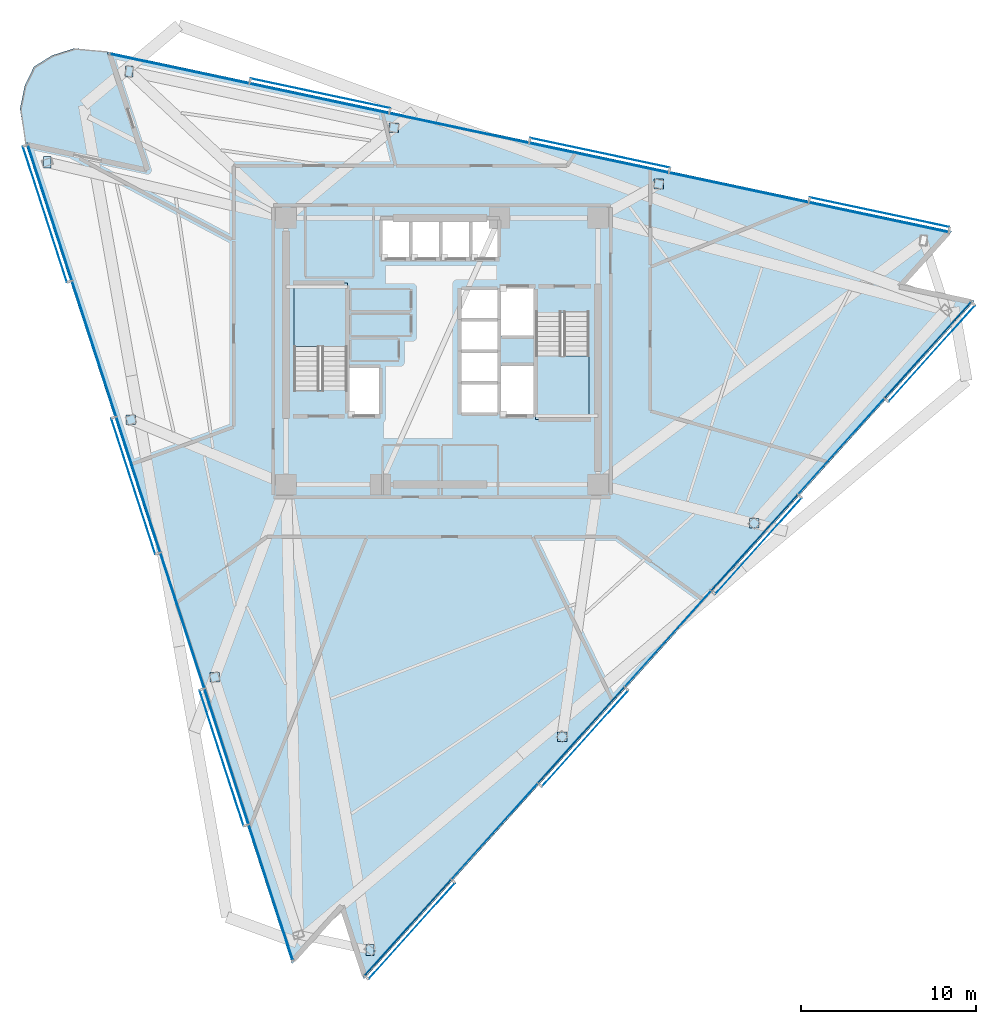
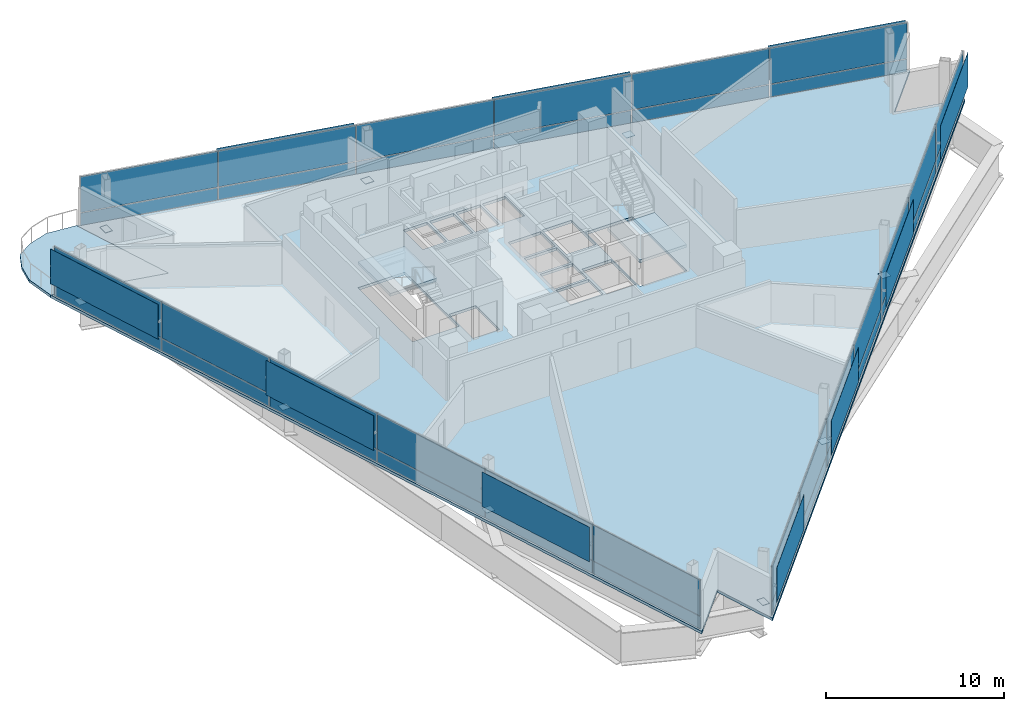
# One storey, part 9 of 17: 57 plates, 4 slabs, 5 elements without a shape of their own.
"""IFC4 building model written with IfcOpenShell, lengths in metres."""

from ifc_helpers import new_model, si_unit, direction, frame, origin, origin_2d, place, context, subcontext, project, spatial, polyline, rectangle, outline, extrude, material, layer, layer_set, type_object, element, aggregate, save


model = new_model("IFC4")

# Units and contexts
model_context = context("Model", 3, precision=1e-05, world=origin(), true_north=direction((0.0, 1.0)))
body_context = subcontext(model_context, "Body", "Model", "MODEL_VIEW")
ifc_project = project(units=[si_unit("LENGTHUNIT", "METRE"), si_unit("AREAUNIT", "SQUARE_METRE"), si_unit("VOLUMEUNIT", "CUBIC_METRE"), si_unit("PLANEANGLEUNIT", "RADIAN"), si_unit("MASSUNIT", "GRAM", prefix="KILO")], contexts=[model_context])

# Site, building, storey
site_placement = place(None, origin())
site = spatial("IfcSite", under=ifc_project, at=site_placement, CompositionType="ELEMENT")
building_placement = place(site_placement, origin())
building = spatial("IfcBuilding", under=site, at=building_placement, Name="Tharavind Bronze Gate", CompositionType="ELEMENT")
storey_placement = place(building_placement, frame((0.0, 0.0, 196.85009765625)))
storey = spatial("IfcBuildingStorey", under=building, at=storey_placement, Name="L50", CompositionType="ELEMENT", Elevation=196.85009765625)

# Plates
ifc_material_1 = material(Name="Perforated Bronze Alloy", Category="bronze")
ifc_layer_1 = layer(ifc_material_1, 0.011962890625)
ifc_layer_set_1 = layer_set([ifc_layer_1], Name="Perforated Bronze Alloy")
plate_type_1 = type_object("IfcPlateType", Name="BRONZE PERFORATED SOLAR SCREEN", PredefinedType="USERDEFINED", material=ifc_layer_set_1)
for number, where, z_axis, x_axis, name in (
    (1, (-22.650634765625, 7.81103515625, 0.96630859375), (0.0, 0.0, 1.0), (0.309016994375, -0.951056516295, 0.0), "CW-L50-S1 perforated bronze solar screen 1"),
    (2, (-17.610107421875, -7.701904296875, 0.96630859375), (0.0, 0.0, 1.0), (0.309016994375, -0.951056516295, 0.0), "CW-L50-S1 perforated bronze solar screen 3"),
    (3, (-12.569580078125, -23.215087890625, 0.96630859375), (0.0, 0.0, 1.0), (0.309016994375, -0.951056516295, 0.0), "CW-L50-S1 perforated bronze solar screen 5"),
):
    element("IfcPlate", number, at=place(storey_placement, frame(where, z_axis=z_axis, x_axis=x_axis)), inside=storey, type_object=plate_type_1, Name=name, ObjectType="SCREEN", PredefinedType="USERDEFINED", context=body_context, shape_type="SweptSolid", body=[
        extrude(rectangle(XDim=8.1357421875, YDim=0.011962890625, at=origin_2d()), origin(), (0.0, 0.0, 1.0), 2.386962890625),
    ])
for number, where, z_axis, x_axis, name in (
    (4, (-1.720703125, -33.081298828125, 0.96630859375), (0.0, 0.0, 1.0), (0.669130606359, 0.743144825477, 0.0), "CW-L50-S2 perforated bronze solar screen 1"),
    (5, (8.168212890625, -22.098388671875, 0.96630859375), (0.0, 0.0, 1.0), (0.669130606359, 0.743144825477, 0.0), "CW-L50-S2 perforated bronze solar screen 3"),
    (6, (18.057373046875, -11.115478515625, 0.96630859375), (0.0, 0.0, 1.0), (0.669130606359, 0.743144825477, 0.0), "CW-L50-S2 perforated bronze solar screen 5"),
    (7, (27.9462890625, -0.132568359375, 0.96630859375), (0.0, 0.0, 1.0), (0.669130606359, 0.743144825477, 0.0), "CW-L50-S2 perforated bronze solar screen 7"),
):
    element("IfcPlate", number, at=place(storey_placement, frame(where, z_axis=z_axis, x_axis=x_axis)), inside=storey, type_object=plate_type_1, Name=name, ObjectType="SCREEN", PredefinedType="USERDEFINED", context=body_context, shape_type="SweptSolid", body=[
        extrude(rectangle(XDim=7.369384765625, YDim=0.011962890625, at=origin_2d()), origin(), (0.0, 0.0, 1.0), 2.386962890625),
    ])
for number, where, z_axis, x_axis, name in (
    (8, (24.977783203125, 7.929931640625, 0.96630859375), (0.0, 0.0, 1.0), (-0.978147600734, 0.207911690818, 0.0), "CW-L50-S3 perforated bronze solar screen 1"),
    (9, (9.022705078125, 11.3212890625, 0.96630859375), (0.0, 0.0, 1.0), (-0.978147600734, 0.207911690818, 0.0), "CW-L50-S3 perforated bronze solar screen 3"),
    (10, (-6.93212890625, 14.712646484375, 0.96630859375), (0.0, 0.0, 1.0), (-0.978147600734, 0.207911690818, 0.0), "CW-L50-S3 perforated bronze solar screen 5"),
):
    element("IfcPlate", number, at=place(storey_placement, frame(where, z_axis=z_axis, x_axis=x_axis)), inside=storey, type_object=plate_type_1, Name=name, ObjectType="SCREEN", PredefinedType="USERDEFINED", context=body_context, shape_type="SweptSolid", body=[
        extrude(rectangle(XDim=8.1357421875, YDim=0.011962890625, at=origin_2d()), origin(), (0.0, 0.0, 1.0), 2.386962890625),
    ])

# Curtain wall, plates
ifc_material_2 = material(Name="Anodised Bronze Aluminium", Category="aluminium")
ifc_layer_2 = layer(ifc_material_2, 0.219970703125)
ifc_layer_set_2 = layer_set([ifc_layer_2], Name="Anodised Bronze Aluminium")
curtain_wall_type = type_object("IfcCurtainWallType", Name="UNITISED CURTAIN WALL MID OFFICE", PredefinedType="USERDEFINED", material=ifc_layer_set_2)
curtain_wall_1_placement = place(storey_placement, origin())
curtain_wall_1 = element("IfcCurtainWall", 11, at=curtain_wall_1_placement, inside=storey, type_object=curtain_wall_type, Name="L50 unitised curtain wall mid office CW-L50-S1", ObjectType="UNITISED CURTAIN WALL", PredefinedType="USERDEFINED")
ifc_material_3 = material(Name="Patinated Bronze Alloy Sheet", Category="bronze")
ifc_layer_3 = layer(ifc_material_3, 0.01611328125)
ifc_layer_set_3 = layer_set([ifc_layer_3], Name="Patinated Bronze Alloy Sheet")
plate_type_2 = type_object("IfcPlateType", Name="BRONZE SPANDREL CLADDING PANEL 16", PredefinedType="CURTAIN_PANEL", material=ifc_layer_set_3)
plate_1_placement = place(storey_placement, frame((-22.3701171875, 7.902099609375, 0.0263671875), z_axis=(0.0, 0.0, 1.0), x_axis=(0.309016994375, -0.951056516295, 0.0)))
plate_1 = element("IfcPlate", 12, at=plate_1_placement, type_object=plate_type_2, Name="CW-L50-S1 bronze spandrel panel 1", PredefinedType="CURTAIN_PANEL", context=body_context, shape_type="SweptSolid", body=[
    extrude(rectangle(XDim=8.102783203125, YDim=0.01611328125, at=origin_2d()), origin(), (0.0, 0.0, 1.0), 0.846923828125),
])
plate_2_placement = place(storey_placement, frame((-19.849853515625, 0.145751953125, 0.0263671875), z_axis=(0.0, 0.0, 1.0), x_axis=(0.309016994375, -0.951056516295, 0.0)))
plate_2 = element("IfcPlate", 13, at=plate_2_placement, type_object=plate_type_2, Name="CW-L50-S1 bronze spandrel panel 2", PredefinedType="CURTAIN_PANEL", context=body_context, shape_type="SweptSolid", body=[
    extrude(rectangle(XDim=8.102783203125, YDim=0.01611328125, at=origin_2d()), origin(), (0.0, 0.0, 1.0), 0.846923828125),
])
plate_3_placement = place(storey_placement, frame((-17.32958984375, -7.61083984375, 0.0263671875), z_axis=(0.0, 0.0, 1.0), x_axis=(0.309016994375, -0.951056516295, 0.0)))
plate_3 = element("IfcPlate", 14, at=plate_3_placement, type_object=plate_type_2, Name="CW-L50-S1 bronze spandrel panel 3", PredefinedType="CURTAIN_PANEL", context=body_context, shape_type="SweptSolid", body=[
    extrude(rectangle(XDim=8.102783203125, YDim=0.01611328125, at=origin_2d()), origin(), (0.0, 0.0, 1.0), 0.846923828125),
])
plate_4_placement = place(storey_placement, frame((-14.809326171875, -15.367431640625, 0.0263671875), z_axis=(0.0, 0.0, 1.0), x_axis=(0.309016994375, -0.951056516295, 0.0)))
plate_4 = element("IfcPlate", 15, at=plate_4_placement, type_object=plate_type_2, Name="CW-L50-S1 bronze spandrel panel 4", PredefinedType="CURTAIN_PANEL", context=body_context, shape_type="SweptSolid", body=[
    extrude(rectangle(XDim=8.102783203125, YDim=0.01611328125, at=origin_2d()), origin(), (0.0, 0.0, 1.0), 0.846923828125),
])
plate_5_placement = place(storey_placement, frame((-12.2890625, -23.123779296875, 0.0263671875), z_axis=(0.0, 0.0, 1.0), x_axis=(0.309016994375, -0.951056516295, 0.0)))
plate_5 = element("IfcPlate", 16, at=plate_5_placement, type_object=plate_type_2, Name="CW-L50-S1 bronze spandrel panel 5", PredefinedType="CURTAIN_PANEL", context=body_context, shape_type="SweptSolid", body=[
    extrude(rectangle(XDim=8.102783203125, YDim=0.01611328125, at=origin_2d()), origin(), (0.0, 0.0, 1.0), 0.846923828125),
])
plate_6_placement = place(storey_placement, frame((-9.768798828125, -30.88037109375, 0.0263671875), z_axis=(0.0, 0.0, 1.0), x_axis=(0.309016994375, -0.951056516295, 0.0)))
plate_6 = element("IfcPlate", 17, at=plate_6_placement, type_object=plate_type_2, Name="CW-L50-S1 bronze spandrel panel 6", PredefinedType="CURTAIN_PANEL", context=body_context, shape_type="SweptSolid", body=[
    extrude(rectangle(XDim=8.102783203125, YDim=0.01611328125, at=origin_2d()), origin(), (0.0, 0.0, 1.0), 0.846923828125),
])

curtain_wall_2_placement = place(storey_placement, origin())
curtain_wall_2 = element("IfcCurtainWall", 18, at=curtain_wall_2_placement, inside=storey, type_object=curtain_wall_type, Name="L50 unitised curtain wall mid office CW-L50-S2", ObjectType="UNITISED CURTAIN WALL", PredefinedType="USERDEFINED")
plate_7_placement = place(storey_placement, frame((-1.93994140625, -32.8837890625, 0.0263671875), z_axis=(0.0, 0.0, 1.0), x_axis=(0.669130606359, 0.743144825477, 0.0)))
plate_7 = element("IfcPlate", 19, at=plate_7_placement, type_object=plate_type_2, Name="CW-L50-S2 bronze spandrel panel 1", PredefinedType="CURTAIN_PANEL", context=body_context, shape_type="SweptSolid", body=[
    extrude(rectangle(XDim=7.33642578125, YDim=0.01611328125, at=origin_2d()), origin(), (0.0, 0.0, 1.0), 0.846923828125),
])
plate_8_placement = place(storey_placement, frame((3.004638671875, -27.392333984375, 0.0263671875), z_axis=(0.0, 0.0, 1.0), x_axis=(0.669130606359, 0.743144825477, 0.0)))
plate_8 = element("IfcPlate", 20, at=plate_8_placement, type_object=plate_type_2, Name="CW-L50-S2 bronze spandrel panel 2", PredefinedType="CURTAIN_PANEL", context=body_context, shape_type="SweptSolid", body=[
    extrude(rectangle(XDim=7.33642578125, YDim=0.01611328125, at=origin_2d()), origin(), (0.0, 0.0, 1.0), 0.846923828125),
])
plate_9_placement = place(storey_placement, frame((7.94921875, -21.90087890625, 0.0263671875), z_axis=(0.0, 0.0, 1.0), x_axis=(0.669130606359, 0.743144825477, 0.0)))
plate_9 = element("IfcPlate", 21, at=plate_9_placement, type_object=plate_type_2, Name="CW-L50-S2 bronze spandrel panel 3", PredefinedType="CURTAIN_PANEL", context=body_context, shape_type="SweptSolid", body=[
    extrude(rectangle(XDim=7.33642578125, YDim=0.01611328125, at=origin_2d()), origin(), (0.0, 0.0, 1.0), 0.846923828125),
])
plate_10_placement = place(storey_placement, frame((12.8935546875, -16.409423828125, 0.0263671875), z_axis=(0.0, 0.0, 1.0), x_axis=(0.669130606359, 0.743144825477, 0.0)))
plate_10 = element("IfcPlate", 22, at=plate_10_placement, type_object=plate_type_2, Name="CW-L50-S2 bronze spandrel panel 4", PredefinedType="CURTAIN_PANEL", context=body_context, shape_type="SweptSolid", body=[
    extrude(rectangle(XDim=7.33642578125, YDim=0.01611328125, at=origin_2d()), origin(), (0.0, 0.0, 1.0), 0.846923828125),
])
plate_11_placement = place(storey_placement, frame((17.838134765625, -10.91796875, 0.0263671875), z_axis=(0.0, 0.0, 1.0), x_axis=(0.669130606359, 0.743144825477, 0.0)))
plate_11 = element("IfcPlate", 23, at=plate_11_placement, type_object=plate_type_2, Name="CW-L50-S2 bronze spandrel panel 5", PredefinedType="CURTAIN_PANEL", context=body_context, shape_type="SweptSolid", body=[
    extrude(rectangle(XDim=7.33642578125, YDim=0.01611328125, at=origin_2d()), origin(), (0.0, 0.0, 1.0), 0.846923828125),
])
plate_12_placement = place(storey_placement, frame((22.78271484375, -5.426513671875, 0.0263671875), z_axis=(0.0, 0.0, 1.0), x_axis=(0.669130606359, 0.743144825477, 0.0)))
plate_12 = element("IfcPlate", 24, at=plate_12_placement, type_object=plate_type_2, Name="CW-L50-S2 bronze spandrel panel 6", PredefinedType="CURTAIN_PANEL", context=body_context, shape_type="SweptSolid", body=[
    extrude(rectangle(XDim=7.33642578125, YDim=0.01611328125, at=origin_2d()), origin(), (0.0, 0.0, 1.0), 0.846923828125),
])
plate_13_placement = place(storey_placement, frame((27.72705078125, 0.06494140625, 0.0263671875), z_axis=(0.0, 0.0, 1.0), x_axis=(0.669130606359, 0.743144825477, 0.0)))
plate_13 = element("IfcPlate", 25, at=plate_13_placement, type_object=plate_type_2, Name="CW-L50-S2 bronze spandrel panel 7", PredefinedType="CURTAIN_PANEL", context=body_context, shape_type="SweptSolid", body=[
    extrude(rectangle(XDim=7.33642578125, YDim=0.01611328125, at=origin_2d()), origin(), (0.0, 0.0, 1.0), 0.846923828125),
])

curtain_wall_3_placement = place(storey_placement, origin())
curtain_wall_3 = element("IfcCurtainWall", 26, at=curtain_wall_3_placement, inside=storey, type_object=curtain_wall_type, Name="L50 unitised curtain wall mid office CW-L50-S3", ObjectType="UNITISED CURTAIN WALL", PredefinedType="USERDEFINED")
plate_14_placement = place(storey_placement, frame((24.91650390625, 7.641357421875, 0.0263671875), z_axis=(0.0, 0.0, 1.0), x_axis=(-0.978147600734, 0.207911690818, 0.0)))
plate_14 = element("IfcPlate", 27, at=plate_14_placement, type_object=plate_type_2, Name="CW-L50-S3 bronze spandrel panel 1", PredefinedType="CURTAIN_PANEL", context=body_context, shape_type="SweptSolid", body=[
    extrude(rectangle(XDim=8.102783203125, YDim=0.01611328125, at=origin_2d()), origin(), (0.0, 0.0, 1.0), 0.846923828125),
])
plate_15_placement = place(storey_placement, frame((16.93896484375, 9.337158203125, 0.0263671875), z_axis=(0.0, 0.0, 1.0), x_axis=(-0.978147600734, 0.207911690818, 0.0)))
plate_15 = element("IfcPlate", 28, at=plate_15_placement, type_object=plate_type_2, Name="CW-L50-S3 bronze spandrel panel 2", PredefinedType="CURTAIN_PANEL", context=body_context, shape_type="SweptSolid", body=[
    extrude(rectangle(XDim=8.102783203125, YDim=0.01611328125, at=origin_2d()), origin(), (0.0, 0.0, 1.0), 0.846923828125),
])
plate_16_placement = place(storey_placement, frame((8.96142578125, 11.03271484375, 0.0263671875), z_axis=(0.0, 0.0, 1.0), x_axis=(-0.978147600734, 0.207911690818, 0.0)))
plate_16 = element("IfcPlate", 29, at=plate_16_placement, type_object=plate_type_2, Name="CW-L50-S3 bronze spandrel panel 3", PredefinedType="CURTAIN_PANEL", context=body_context, shape_type="SweptSolid", body=[
    extrude(rectangle(XDim=8.102783203125, YDim=0.01611328125, at=origin_2d()), origin(), (0.0, 0.0, 1.0), 0.846923828125),
])
plate_17_placement = place(storey_placement, frame((0.98388671875, 12.728515625, 0.0263671875), z_axis=(0.0, 0.0, 1.0), x_axis=(-0.978147600734, 0.207911690818, 0.0)))
plate_17 = element("IfcPlate", 30, at=plate_17_placement, type_object=plate_type_2, Name="CW-L50-S3 bronze spandrel panel 4", PredefinedType="CURTAIN_PANEL", context=body_context, shape_type="SweptSolid", body=[
    extrude(rectangle(XDim=8.102783203125, YDim=0.01611328125, at=origin_2d()), origin(), (0.0, 0.0, 1.0), 0.846923828125),
])
plate_18_placement = place(storey_placement, frame((-6.993408203125, 14.424072265625, 0.0263671875), z_axis=(0.0, 0.0, 1.0), x_axis=(-0.978147600734, 0.207911690818, 0.0)))
plate_18 = element("IfcPlate", 31, at=plate_18_placement, type_object=plate_type_2, Name="CW-L50-S3 bronze spandrel panel 5", PredefinedType="CURTAIN_PANEL", context=body_context, shape_type="SweptSolid", body=[
    extrude(rectangle(XDim=8.102783203125, YDim=0.01611328125, at=origin_2d()), origin(), (0.0, 0.0, 1.0), 0.846923828125),
])
plate_19_placement = place(storey_placement, frame((-14.970947265625, 16.119873046875, 0.0263671875), z_axis=(0.0, 0.0, 1.0), x_axis=(-0.978147600734, 0.207911690818, 0.0)))
plate_19 = element("IfcPlate", 32, at=plate_19_placement, type_object=plate_type_2, Name="CW-L50-S3 bronze spandrel panel 6", PredefinedType="CURTAIN_PANEL", context=body_context, shape_type="SweptSolid", body=[
    extrude(rectangle(XDim=8.102783203125, YDim=0.01611328125, at=origin_2d()), origin(), (0.0, 0.0, 1.0), 0.846923828125),
])

# Slab
ifc_material_4 = material(Name="Concrete C40/50", Category="concrete")
ifc_layer_4 = layer(ifc_material_4, 0.179931640625)
ifc_layer_set_4 = layer_set([ifc_layer_4], Name="Concrete C40/50")
slab_type_1 = type_object("IfcSlabType", Name="EXTERIOR BALCONY SLAB 180", PredefinedType="FLOOR", material=ifc_layer_set_4)
slab_1_placement = place(storey_placement, frame((0.0, 0.0, -0.18017578125)))
element("IfcSlab", 33, at=slab_1_placement, inside=storey, type_object=slab_type_1, Name="L50 northeast tree balcony slab", PredefinedType="FLOOR", context=body_context, shape_type="SweptSolid", body=[
    extrude(outline(polyline([(-20.960693359375, 17.28564453125), (-22.246337890625, 16.877685546875), (-23.275634765625, 16.239013671875), (-23.80322265625, 15.148681640625), (-24.074462890625, 13.82763671875), (-23.77880859375, 11.914306640625), (-16.951416015625, 10.463134765625), (-19.1083984375, 17.101318359375), (-20.960693359375, 17.28564453125)])), origin(), (0.0, 0.0, 1.0), 0.18017578125),
])

# Stair, slab
stair_type = type_object("IfcStairType", Name="CORE HALF TURN STAIR 1450", PredefinedType="HALF_TURN_STAIR", material=ifc_material_4)
stair_1_placement = place(storey_placement, origin())
stair_1 = element("IfcStair", 34, at=stair_1_placement, inside=storey, type_object=stair_type, Name="L50 Protected Exit Stair ST1", PredefinedType="HALF_TURN_STAIR")
ifc_layer_5 = layer(ifc_material_4, 0.199951171875)
ifc_layer_set_5 = layer_set([ifc_layer_5], Name="Concrete C40/50")
slab_type_2 = type_object("IfcSlabType", Name="STAIR LANDING SLAB 200", PredefinedType="LANDING", material=ifc_layer_set_5)
slab_2_placement = place(storey_placement, frame((0.0, 0.0, 1.599853515625)))
slab_2 = element("IfcSlab", 35, at=slab_2_placement, type_object=slab_type_2, Name="ST1 landing 1", PredefinedType="LANDING", context=body_context, shape_type="SweptSolid", body=[
    extrude(outline(polyline([(-5.39990234375, 0.27001953125), (-5.39990234375, 3.89990234375), (-8.449951171875, 3.89990234375), (-8.449951171875, 0.27001953125), (-5.39990234375, 0.27001953125)])), origin(), (0.0, 0.0, 1.0), 0.199951171875),
])
aggregate(stair_1, [slab_2])

stair_2_placement = place(storey_placement, origin())
stair_2 = element("IfcStair", 36, at=stair_2_placement, inside=storey, type_object=stair_type, Name="L50 Protected Exit Stair ST2", PredefinedType="HALF_TURN_STAIR")
slab_3_placement = place(storey_placement, frame((0.0, 0.0, 1.599853515625)))
slab_3 = element("IfcSlab", 37, at=slab_3_placement, type_object=slab_type_2, Name="ST2 landing 1", PredefinedType="LANDING", context=body_context, shape_type="SweptSolid", body=[
    extrude(outline(polyline([(5.35009765625, -0.27001953125), (5.35009765625, -3.89990234375), (8.39990234375, -3.89990234375), (8.39990234375, -0.27001953125), (5.35009765625, -0.27001953125)])), origin(), (0.0, 0.0, 1.0), 0.199951171875),
])
aggregate(stair_2, [slab_3])

# Plates
ifc_material_5 = material(Name="Steel S460", Category="steel")
ifc_layer_6 = layer(ifc_material_5, 0.02490234375)
ifc_layer_set_6 = layer_set([ifc_layer_6], Name="Steel S460")
plate_type_3 = type_object("IfcPlateType", Name="STEEL END CAP SHEET 25", PredefinedType="SHEET", material=ifc_layer_set_6)
plate_20_placement = place(storey_placement, frame((-22.515380859375, 10.77685546875, -0.20263671875), z_axis=(0.0, 0.0, 1.0), x_axis=(1.0, 0.0, 0.0)))
element("IfcPlate", 38, at=plate_20_placement, inside=storey, type_object=plate_type_3, Name="Steel end cap plate CAP-COLB-L50-S1C1", PredefinedType="SHEET", context=body_context, shape_type="SweptSolid", body=[
    extrude(rectangle(XDim=0.445068359375, YDim=0.64501953125, at=origin_2d()), origin(), (0.0, 0.0, 1.0), 0.02490234375),
])
for number, where, z_axis, x_axis, name in (
    (39, (-17.74267578125, -3.91259765625, -0.20263671875), (0.0, 0.0, 1.0), (1.0, 0.0, 0.0), "Steel end cap plate CAP-COLB-L50-S1C2"),
    (40, (-12.9697265625, -18.60205078125, -0.012451171875), (0.0, 0.0, 1.0), (1.0, 0.0, 0.0), "Steel end cap plate CAP-COLB-L50-S1C3"),
):
    element("IfcPlate", number, at=place(storey_placement, frame(where, z_axis=z_axis, x_axis=x_axis)), inside=storey, type_object=plate_type_3, Name=name, PredefinedType="SHEET", context=body_context, shape_type="SweptSolid", body=[
        extrude(rectangle(XDim=0.544921875, YDim=0.544921875, at=origin_2d()), origin(), (0.0, 0.0, 1.0), 0.02490234375),
    ])
plate_21_placement = place(storey_placement, frame((-4.100341796875, -34.162353515625, -0.012451171875), z_axis=(0.0, 0.0, 1.0), x_axis=(1.0, 0.0, 0.0)))
element("IfcPlate", 41, at=plate_21_placement, inside=storey, type_object=plate_type_3, Name="Steel end cap plate CAP-COLB-L50-S2C1", PredefinedType="SHEET", context=body_context, shape_type="SweptSolid", body=[
    extrude(rectangle(XDim=0.445068359375, YDim=0.64501953125, at=origin_2d()), origin(), (0.0, 0.0, 1.0), 0.02490234375),
])
for number, where, z_axis, x_axis, name in (
    (42, (6.857421875, -21.992431640625, -0.20263671875), (0.0, 0.0, 1.0), (1.0, 0.0, 0.0), "Steel end cap plate CAP-COLB-L50-S2C2"),
    (43, (17.815185546875, -9.82275390625, -0.012451171875), (0.0, 0.0, 1.0), (1.0, 0.0, 0.0), "Steel end cap plate CAP-COLB-L50-S2C3"),
    (44, (12.370849609375, 9.54150390625, -0.20263671875), (0.0, 0.0, 1.0), (1.0, 0.0, 0.0), "Steel end cap plate CAP-COLB-L50-S3C2"),
    (45, (-2.737060546875, 12.752685546875, -0.012451171875), (0.0, 0.0, 1.0), (1.0, 0.0, 0.0), "Steel end cap plate CAP-COLB-L50-S3C3"),
):
    element("IfcPlate", number, at=place(storey_placement, frame(where, z_axis=z_axis, x_axis=x_axis)), inside=storey, type_object=plate_type_3, Name=name, PredefinedType="SHEET", context=body_context, shape_type="SweptSolid", body=[
        extrude(rectangle(XDim=0.544921875, YDim=0.544921875, at=origin_2d()), origin(), (0.0, 0.0, 1.0), 0.02490234375),
    ])
plate_22_placement = place(storey_placement, frame((-17.844970703125, 15.9638671875, -0.012451171875), z_axis=(0.0, 0.0, 1.0), x_axis=(1.0, 0.0, 0.0)))
element("IfcPlate", 46, at=plate_22_placement, inside=storey, type_object=plate_type_3, Name="Steel end cap plate CAP-COLB-L50-S3C4", PredefinedType="SHEET", context=body_context, shape_type="SweptSolid", body=[
    extrude(rectangle(XDim=0.445068359375, YDim=0.64501953125, at=origin_2d()), origin(), (0.0, 0.0, 1.0), 0.02490234375),
])

# Slab
ifc_layer_7 = layer(ifc_material_4, 0.18994140625)
ifc_layer_set_7 = layer_set([ifc_layer_7], Name="Concrete C40/50")
slab_type_3 = type_object("IfcSlabType", Name="STRUCTURAL FLOOR SLAB 190", PredefinedType="FLOOR", material=ifc_layer_set_7)
slab_4_placement = place(storey_placement, frame((0.0, 0.0, -0.190185546875)))
element("IfcSlab", 47, at=slab_4_placement, inside=storey, type_object=slab_type_3, Name="L50 main structural floor slab", PredefinedType="FLOOR", context=body_context, shape_type="SweptSolid", body=[
    extrude(outline(polyline([(-19.1083984375, 17.101318359375), (-16.951416015625, 10.463134765625), (-23.77880859375, 11.914306640625), (-8.55029296875, -34.954345703125), (-5.748046875, -31.842041015625), (-4.453857421875, -35.8251953125), (30.3896484375, 2.872314453125), (26.293212890625, 3.7431640625), (29.095458984375, 6.85546875), (-19.1083984375, 17.101318359375)]), holes=[polyline([(-5.39990234375, -2.215087890625), (-5.39990234375, 3.89990234375), (-8.449951171875, 3.89990234375), (-8.449951171875, -2.215087890625), (-5.39990234375, -2.215087890625)]), polyline([(5.35009765625, 2.215087890625), (5.35009765625, -3.89990234375), (8.39990234375, -3.89990234375), (8.39990234375, 2.215087890625), (5.35009765625, 2.215087890625)]), polyline([(-3.419921875, 5.330078125), (-1.867431640625, 5.330078125), (-1.867431640625, 7.52001953125), (-3.419921875, 7.52001953125), (-3.419921875, 5.330078125)]), polyline([(-1.70751953125, 5.330078125), (-0.155029296875, 5.330078125), (-0.155029296875, 7.52001953125), (-1.70751953125, 7.52001953125), (-1.70751953125, 5.330078125)]), polyline([(0.0048828125, 5.330078125), (1.5576171875, 5.330078125), (1.5576171875, 7.52001953125), (0.0048828125, 7.52001953125), (0.0048828125, 5.330078125)]), polyline([(1.717529296875, 5.330078125), (3.199951171875, 5.330078125), (3.199951171875, 7.52001953125), (1.717529296875, 7.52001953125), (1.717529296875, 5.330078125)]), polyline([(1.080078125, -3.52001953125), (3.199951171875, -3.52001953125), (3.199951171875, -1.8798828125), (1.080078125, -1.8798828125), (1.080078125, -3.52001953125)]), polyline([(1.080078125, -1.719970703125), (3.199951171875, -1.719970703125), (3.199951171875, -0.080078125), (1.080078125, -0.080078125), (1.080078125, -1.719970703125)]), polyline([(1.080078125, 0.080078125), (3.199951171875, 0.080078125), (3.199951171875, 1.719970703125), (1.080078125, 1.719970703125), (1.080078125, 0.080078125)]), polyline([(1.080078125, 1.8798828125), (3.199951171875, 1.8798828125), (3.199951171875, 3.52001953125), (1.080078125, 3.52001953125), (1.080078125, 1.8798828125)]), polyline([(-5.320068359375, -3.6201171875), (-3.580078125, -3.6201171875), (-3.580078125, -0.929931640625), (-5.320068359375, -0.929931640625), (-5.320068359375, -3.6201171875)]), polyline([(3.360107421875, 0.8798828125), (5.27001953125, 0.8798828125), (5.27001953125, 3.6201171875), (3.360107421875, 3.6201171875), (3.360107421875, 0.8798828125)]), polyline([(3.360107421875, -3.6201171875), (5.27001953125, -3.6201171875), (5.27001953125, -0.830078125), (3.360107421875, -0.830078125), (3.360107421875, -3.6201171875)])]), origin(), (0.0, 0.0, 1.0), 0.190185546875),
])

# Plate
ifc_material_6 = material(Name="Triple Solar Control Glazing", Category="glass")
ifc_layer_8 = layer(ifc_material_6, 0.0439453125)
ifc_layer_set_8 = layer_set([ifc_layer_8], Name="Triple Solar Control Glazing")
plate_type_4 = type_object("IfcPlateType", Name="TRIPLE GLAZED FACADE PANEL 44", PredefinedType="CURTAIN_PANEL", material=ifc_layer_set_8)
plate_23_placement = place(storey_placement, frame((-22.3701171875, 7.902099609375, 0.92626953125), z_axis=(0.0, 0.0, 1.0), x_axis=(0.309016994375, -0.951056516295, 0.0)))
plate_23 = element("IfcPlate", 48, at=plate_23_placement, type_object=plate_type_4, Name="CW-L50-S1 vision glazing panel 1", PredefinedType="CURTAIN_PANEL", context=body_context, shape_type="SweptSolid", body=[
    extrude(rectangle(XDim=8.102783203125, YDim=0.0439453125, at=origin_2d()), origin(), (0.0, 0.0, 1.0), 2.467041015625),
])

plate_24_placement = place(storey_placement, frame((-19.849853515625, 0.145751953125, 0.92626953125), z_axis=(0.0, 0.0, 1.0), x_axis=(0.309016994375, -0.951056516295, 0.0)))
plate_24 = element("IfcPlate", 49, at=plate_24_placement, type_object=plate_type_4, Name="CW-L50-S1 vision glazing panel 2", PredefinedType="CURTAIN_PANEL", context=body_context, shape_type="SweptSolid", body=[
    extrude(rectangle(XDim=8.102783203125, YDim=0.0439453125, at=origin_2d()), origin(), (0.0, 0.0, 1.0), 2.467041015625),
])

plate_25_placement = place(storey_placement, frame((-17.32958984375, -7.61083984375, 0.92626953125), z_axis=(0.0, 0.0, 1.0), x_axis=(0.309016994375, -0.951056516295, 0.0)))
plate_25 = element("IfcPlate", 50, at=plate_25_placement, type_object=plate_type_4, Name="CW-L50-S1 vision glazing panel 3", PredefinedType="CURTAIN_PANEL", context=body_context, shape_type="SweptSolid", body=[
    extrude(rectangle(XDim=8.102783203125, YDim=0.0439453125, at=origin_2d()), origin(), (0.0, 0.0, 1.0), 2.467041015625),
])

plate_26_placement = place(storey_placement, frame((-14.809326171875, -15.367431640625, 0.92626953125), z_axis=(0.0, 0.0, 1.0), x_axis=(0.309016994375, -0.951056516295, 0.0)))
plate_26 = element("IfcPlate", 51, at=plate_26_placement, type_object=plate_type_4, Name="CW-L50-S1 vision glazing panel 4", PredefinedType="CURTAIN_PANEL", context=body_context, shape_type="SweptSolid", body=[
    extrude(rectangle(XDim=8.102783203125, YDim=0.0439453125, at=origin_2d()), origin(), (0.0, 0.0, 1.0), 2.467041015625),
])

plate_27_placement = place(storey_placement, frame((-12.2890625, -23.123779296875, 0.92626953125), z_axis=(0.0, 0.0, 1.0), x_axis=(0.309016994375, -0.951056516295, 0.0)))
plate_27 = element("IfcPlate", 52, at=plate_27_placement, type_object=plate_type_4, Name="CW-L50-S1 vision glazing panel 5", PredefinedType="CURTAIN_PANEL", context=body_context, shape_type="SweptSolid", body=[
    extrude(rectangle(XDim=8.102783203125, YDim=0.0439453125, at=origin_2d()), origin(), (0.0, 0.0, 1.0), 2.467041015625),
])

plate_28_placement = place(storey_placement, frame((-9.768798828125, -30.88037109375, 0.92626953125), z_axis=(0.0, 0.0, 1.0), x_axis=(0.309016994375, -0.951056516295, 0.0)))
plate_28 = element("IfcPlate", 53, at=plate_28_placement, type_object=plate_type_4, Name="CW-L50-S1 vision glazing panel 6", PredefinedType="CURTAIN_PANEL", context=body_context, shape_type="SweptSolid", body=[
    extrude(rectangle(XDim=8.102783203125, YDim=0.0439453125, at=origin_2d()), origin(), (0.0, 0.0, 1.0), 2.467041015625),
])

aggregate(curtain_wall_1, [plate_1, plate_23, plate_2, plate_24, plate_3, plate_25, plate_4, plate_26, plate_5, plate_27, plate_6, plate_28])

plate_29_placement = place(storey_placement, frame((-1.93994140625, -32.8837890625, 0.92626953125), z_axis=(0.0, 0.0, 1.0), x_axis=(0.669130606359, 0.743144825477, 0.0)))
plate_29 = element("IfcPlate", 54, at=plate_29_placement, type_object=plate_type_4, Name="CW-L50-S2 vision glazing panel 1", PredefinedType="CURTAIN_PANEL", context=body_context, shape_type="SweptSolid", body=[
    extrude(rectangle(XDim=7.33642578125, YDim=0.0439453125, at=origin_2d()), origin(), (0.0, 0.0, 1.0), 2.467041015625),
])

plate_30_placement = place(storey_placement, frame((3.004638671875, -27.392333984375, 0.92626953125), z_axis=(0.0, 0.0, 1.0), x_axis=(0.669130606359, 0.743144825477, 0.0)))
plate_30 = element("IfcPlate", 55, at=plate_30_placement, type_object=plate_type_4, Name="CW-L50-S2 vision glazing panel 2", PredefinedType="CURTAIN_PANEL", context=body_context, shape_type="SweptSolid", body=[
    extrude(rectangle(XDim=7.33642578125, YDim=0.0439453125, at=origin_2d()), origin(), (0.0, 0.0, 1.0), 2.467041015625),
])

plate_31_placement = place(storey_placement, frame((7.94921875, -21.90087890625, 0.92626953125), z_axis=(0.0, 0.0, 1.0), x_axis=(0.669130606359, 0.743144825477, 0.0)))
plate_31 = element("IfcPlate", 56, at=plate_31_placement, type_object=plate_type_4, Name="CW-L50-S2 vision glazing panel 3", PredefinedType="CURTAIN_PANEL", context=body_context, shape_type="SweptSolid", body=[
    extrude(rectangle(XDim=7.33642578125, YDim=0.0439453125, at=origin_2d()), origin(), (0.0, 0.0, 1.0), 2.467041015625),
])

plate_32_placement = place(storey_placement, frame((12.8935546875, -16.409423828125, 0.92626953125), z_axis=(0.0, 0.0, 1.0), x_axis=(0.669130606359, 0.743144825477, 0.0)))
plate_32 = element("IfcPlate", 57, at=plate_32_placement, type_object=plate_type_4, Name="CW-L50-S2 vision glazing panel 4", PredefinedType="CURTAIN_PANEL", context=body_context, shape_type="SweptSolid", body=[
    extrude(rectangle(XDim=7.33642578125, YDim=0.0439453125, at=origin_2d()), origin(), (0.0, 0.0, 1.0), 2.467041015625),
])

plate_33_placement = place(storey_placement, frame((17.838134765625, -10.91796875, 0.92626953125), z_axis=(0.0, 0.0, 1.0), x_axis=(0.669130606359, 0.743144825477, 0.0)))
plate_33 = element("IfcPlate", 58, at=plate_33_placement, type_object=plate_type_4, Name="CW-L50-S2 vision glazing panel 5", PredefinedType="CURTAIN_PANEL", context=body_context, shape_type="SweptSolid", body=[
    extrude(rectangle(XDim=7.33642578125, YDim=0.0439453125, at=origin_2d()), origin(), (0.0, 0.0, 1.0), 2.467041015625),
])

plate_34_placement = place(storey_placement, frame((22.78271484375, -5.426513671875, 0.92626953125), z_axis=(0.0, 0.0, 1.0), x_axis=(0.669130606359, 0.743144825477, 0.0)))
plate_34 = element("IfcPlate", 59, at=plate_34_placement, type_object=plate_type_4, Name="CW-L50-S2 vision glazing panel 6", PredefinedType="CURTAIN_PANEL", context=body_context, shape_type="SweptSolid", body=[
    extrude(rectangle(XDim=7.33642578125, YDim=0.0439453125, at=origin_2d()), origin(), (0.0, 0.0, 1.0), 2.467041015625),
])

plate_35_placement = place(storey_placement, frame((27.72705078125, 0.06494140625, 0.92626953125), z_axis=(0.0, 0.0, 1.0), x_axis=(0.669130606359, 0.743144825477, 0.0)))
plate_35 = element("IfcPlate", 60, at=plate_35_placement, type_object=plate_type_4, Name="CW-L50-S2 vision glazing panel 7", PredefinedType="CURTAIN_PANEL", context=body_context, shape_type="SweptSolid", body=[
    extrude(rectangle(XDim=7.33642578125, YDim=0.0439453125, at=origin_2d()), origin(), (0.0, 0.0, 1.0), 2.467041015625),
])

aggregate(curtain_wall_2, [plate_7, plate_29, plate_8, plate_30, plate_9, plate_31, plate_10, plate_32, plate_11, plate_33, plate_12, plate_34, plate_13, plate_35])

plate_36_placement = place(storey_placement, frame((24.91650390625, 7.641357421875, 0.92626953125), z_axis=(0.0, 0.0, 1.0), x_axis=(-0.978147600734, 0.207911690818, 0.0)))
plate_36 = element("IfcPlate", 61, at=plate_36_placement, type_object=plate_type_4, Name="CW-L50-S3 vision glazing panel 1", PredefinedType="CURTAIN_PANEL", context=body_context, shape_type="SweptSolid", body=[
    extrude(rectangle(XDim=8.102783203125, YDim=0.0439453125, at=origin_2d()), origin(), (0.0, 0.0, 1.0), 2.467041015625),
])

plate_37_placement = place(storey_placement, frame((16.93896484375, 9.337158203125, 0.92626953125), z_axis=(0.0, 0.0, 1.0), x_axis=(-0.978147600734, 0.207911690818, 0.0)))
plate_37 = element("IfcPlate", 62, at=plate_37_placement, type_object=plate_type_4, Name="CW-L50-S3 vision glazing panel 2", PredefinedType="CURTAIN_PANEL", context=body_context, shape_type="SweptSolid", body=[
    extrude(rectangle(XDim=8.102783203125, YDim=0.0439453125, at=origin_2d()), origin(), (0.0, 0.0, 1.0), 2.467041015625),
])

plate_38_placement = place(storey_placement, frame((8.96142578125, 11.03271484375, 0.92626953125), z_axis=(0.0, 0.0, 1.0), x_axis=(-0.978147600734, 0.207911690818, 0.0)))
plate_38 = element("IfcPlate", 63, at=plate_38_placement, type_object=plate_type_4, Name="CW-L50-S3 vision glazing panel 3", PredefinedType="CURTAIN_PANEL", context=body_context, shape_type="SweptSolid", body=[
    extrude(rectangle(XDim=8.102783203125, YDim=0.0439453125, at=origin_2d()), origin(), (0.0, 0.0, 1.0), 2.467041015625),
])

plate_39_placement = place(storey_placement, frame((0.98388671875, 12.728515625, 0.92626953125), z_axis=(0.0, 0.0, 1.0), x_axis=(-0.978147600734, 0.207911690818, 0.0)))
plate_39 = element("IfcPlate", 64, at=plate_39_placement, type_object=plate_type_4, Name="CW-L50-S3 vision glazing panel 4", PredefinedType="CURTAIN_PANEL", context=body_context, shape_type="SweptSolid", body=[
    extrude(rectangle(XDim=8.102783203125, YDim=0.0439453125, at=origin_2d()), origin(), (0.0, 0.0, 1.0), 2.467041015625),
])

plate_40_placement = place(storey_placement, frame((-6.993408203125, 14.424072265625, 0.92626953125), z_axis=(0.0, 0.0, 1.0), x_axis=(-0.978147600734, 0.207911690818, 0.0)))
plate_40 = element("IfcPlate", 65, at=plate_40_placement, type_object=plate_type_4, Name="CW-L50-S3 vision glazing panel 5", PredefinedType="CURTAIN_PANEL", context=body_context, shape_type="SweptSolid", body=[
    extrude(rectangle(XDim=8.102783203125, YDim=0.0439453125, at=origin_2d()), origin(), (0.0, 0.0, 1.0), 2.467041015625),
])

plate_41_placement = place(storey_placement, frame((-14.970947265625, 16.119873046875, 0.92626953125), z_axis=(0.0, 0.0, 1.0), x_axis=(-0.978147600734, 0.207911690818, 0.0)))
plate_41 = element("IfcPlate", 66, at=plate_41_placement, type_object=plate_type_4, Name="CW-L50-S3 vision glazing panel 6", PredefinedType="CURTAIN_PANEL", context=body_context, shape_type="SweptSolid", body=[
    extrude(rectangle(XDim=8.102783203125, YDim=0.0439453125, at=origin_2d()), origin(), (0.0, 0.0, 1.0), 2.467041015625),
])

aggregate(curtain_wall_3, [plate_14, plate_36, plate_15, plate_37, plate_16, plate_38, plate_17, plate_39, plate_18, plate_40, plate_19, plate_41])

save(model, "model.ifc")
